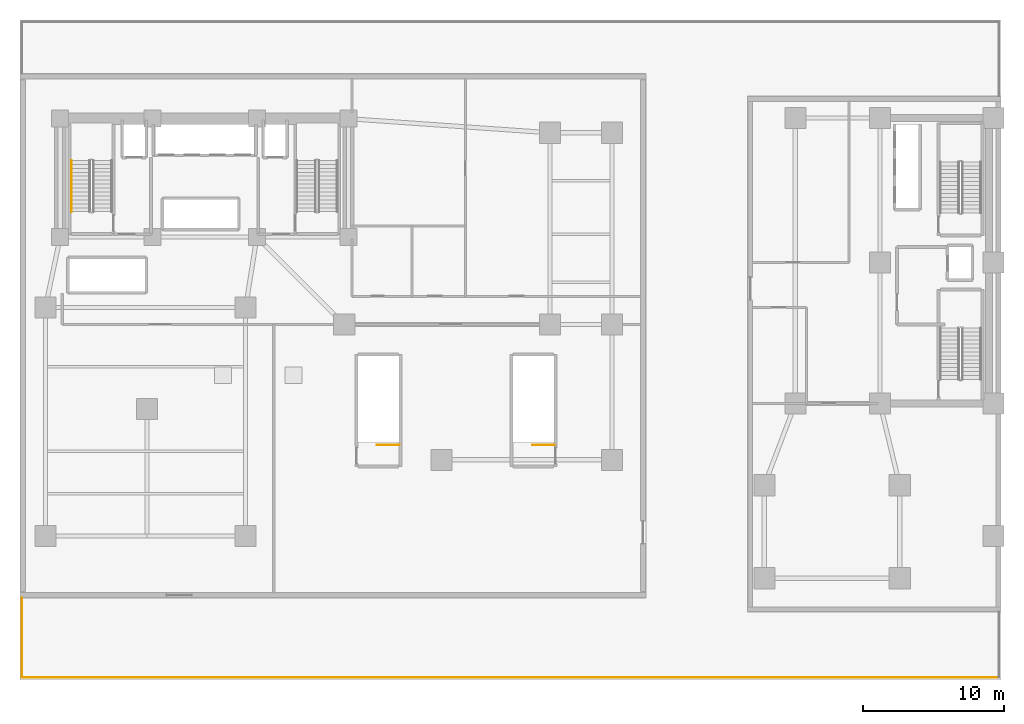
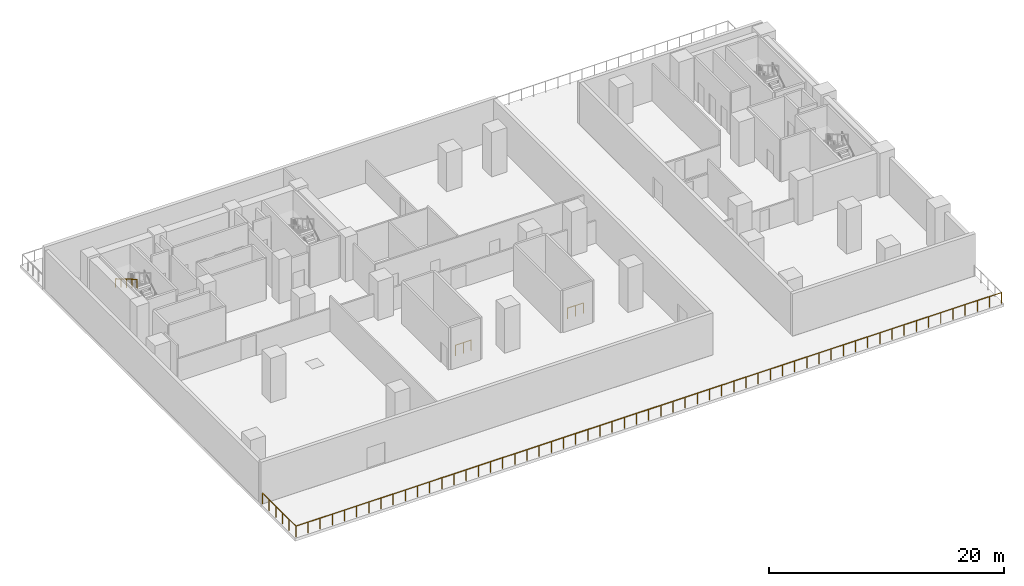
# One storey, part 6 of 9: 5 railings.
"""IFC4 building model written with IfcOpenShell, lengths in metres."""

from ifc_helpers import new_model, si_unit, direction, frame, origin, origin_2d, place, context, subcontext, project, spatial, circle, extrude, material, layer, layer_set, type_object, element, save


model = new_model("IFC4")

# Units and contexts
model_context = context("Model", 3, precision=1e-05, world=origin(), true_north=direction((0.0, 1.0)))
body_context = subcontext(model_context, "Body", "Model", "MODEL_VIEW")
ifc_project = project(units=[si_unit("LENGTHUNIT", "METRE"), si_unit("AREAUNIT", "SQUARE_METRE"), si_unit("VOLUMEUNIT", "CUBIC_METRE"), si_unit("PLANEANGLEUNIT", "RADIAN"), si_unit("MASSUNIT", "GRAM", prefix="KILO")], contexts=[model_context])

# Site, building, storey
site_placement = place(None, origin())
site = spatial("IfcSite", under=ifc_project, at=site_placement, CompositionType="ELEMENT")
building_placement = place(site_placement, origin())
building = spatial("IfcBuilding", under=site, at=building_placement, Name="Kuzgunbayir Cultural Tower", CompositionType="ELEMENT")
storey_placement = place(building_placement, frame((0.0, 0.0, 21.800048828125)))
storey = spatial("IfcBuildingStorey", under=building, at=storey_placement, Name="L05", CompositionType="ELEMENT", Elevation=21.800048828125)

# Railings
ifc_material_1 = material(Name="Laminated Glass and Stainless Steel", Category="steel")
ifc_layer_1 = layer(ifc_material_1, 0.080078125)
ifc_layer_set_1 = layer_set([ifc_layer_1], Name="Laminated Glass and Stainless Steel")
railing_type_1 = type_object("IfcRailingType", Name="RLG-BAL-115", PredefinedType="BALUSTRADE", material=ifc_layer_set_1)
railing_1_placement = place(storey_placement, frame((3.75, 8.199951171875, 0.0)))
element("IfcRailing", 1, at=railing_1_placement, inside=storey, type_object=railing_type_1, Name="L05 Raised Garden South Guard Segment 1", PredefinedType="BALUSTRADE", context=body_context, shape_type="SweptSolid", body=[
    extrude(circle(Radius=0.02392578125, at=origin_2d()), frame((0.0, 0.0, 1.1259765625), z_axis=(0.0, -1.0, 0.0), x_axis=(1.0, 0.0, 0.0)), (0.0, 0.0, 1.0), 5.64990234375),
    extrude(circle(Radius=0.02099609375, at=origin_2d()), origin(), (0.0, 0.0, 1.0), 1.101806640625),
    extrude(circle(Radius=0.02099609375, at=origin_2d()), frame((0.0, -1.1298828125, 0.0)), (0.0, 0.0, 1.0), 1.101806640625),
    extrude(circle(Radius=0.02099609375, at=origin_2d()), frame((0.0, -2.260009765625, 0.0)), (0.0, 0.0, 1.0), 1.101806640625),
    extrude(circle(Radius=0.02099609375, at=origin_2d()), frame((0.0, -3.389892578125, 0.0)), (0.0, 0.0, 1.0), 1.101806640625),
    extrude(circle(Radius=0.02099609375, at=origin_2d()), frame((0.0, -4.52001953125, 0.0)), (0.0, 0.0, 1.0), 1.101806640625),
    extrude(circle(Radius=0.02099609375, at=origin_2d()), frame((0.0, -5.64990234375, 0.0)), (0.0, 0.0, 1.0), 1.101806640625),
])
railing_2_placement = place(storey_placement, frame((3.75, 2.550048828125, 0.0)))
element("IfcRailing", 2, at=railing_2_placement, inside=storey, type_object=railing_type_1, Name="L05 Raised Garden South Guard Segment 2", PredefinedType="BALUSTRADE", context=body_context, shape_type="SweptSolid", body=[
    extrude(circle(Radius=0.02392578125, at=origin_2d()), frame((0.0, 0.0, 1.1259765625), z_axis=(1.0, 0.0, 0.0), x_axis=(0.0, 1.0, 0.0)), (0.0, 0.0, 1.0), 69.300048828125),
    extrude(circle(Radius=0.02099609375, at=origin_2d()), origin(), (0.0, 0.0, 1.0), 1.101806640625),
    extrude(circle(Radius=0.02099609375, at=origin_2d()), frame((1.19482421875, 0.0, 0.0)), (0.0, 0.0, 1.0), 1.101806640625),
    extrude(circle(Radius=0.02099609375, at=origin_2d()), frame((2.3896484375, 0.0, 0.0)), (0.0, 0.0, 1.0), 1.101806640625),
    extrude(circle(Radius=0.02099609375, at=origin_2d()), frame((3.58447265625, 0.0, 0.0)), (0.0, 0.0, 1.0), 1.101806640625),
    extrude(circle(Radius=0.02099609375, at=origin_2d()), frame((4.779296875, 0.0, 0.0)), (0.0, 0.0, 1.0), 1.101806640625),
    extrude(circle(Radius=0.02099609375, at=origin_2d()), frame((5.97412109375, 0.0, 0.0)), (0.0, 0.0, 1.0), 1.101806640625),
    extrude(circle(Radius=0.02099609375, at=origin_2d()), frame((7.1689453125, 0.0, 0.0)), (0.0, 0.0, 1.0), 1.101806640625),
    extrude(circle(Radius=0.02099609375, at=origin_2d()), frame((8.36376953125, 0.0, 0.0)), (0.0, 0.0, 1.0), 1.101806640625),
    extrude(circle(Radius=0.02099609375, at=origin_2d()), frame((9.55859375, 0.0, 0.0)), (0.0, 0.0, 1.0), 1.101806640625),
    extrude(circle(Radius=0.02099609375, at=origin_2d()), frame((10.75341796875, 0.0, 0.0)), (0.0, 0.0, 1.0), 1.101806640625),
    extrude(circle(Radius=0.02099609375, at=origin_2d()), frame((11.9482421875, 0.0, 0.0)), (0.0, 0.0, 1.0), 1.101806640625),
    extrude(circle(Radius=0.02099609375, at=origin_2d()), frame((13.14306640625, 0.0, 0.0)), (0.0, 0.0, 1.0), 1.101806640625),
    extrude(circle(Radius=0.02099609375, at=origin_2d()), frame((14.337890625, 0.0, 0.0)), (0.0, 0.0, 1.0), 1.101806640625),
    extrude(circle(Radius=0.02099609375, at=origin_2d()), frame((15.53271484375, 0.0, 0.0)), (0.0, 0.0, 1.0), 1.101806640625),
    extrude(circle(Radius=0.02099609375, at=origin_2d()), frame((16.7275390625, 0.0, 0.0)), (0.0, 0.0, 1.0), 1.101806640625),
    extrude(circle(Radius=0.02099609375, at=origin_2d()), frame((17.92236328125, 0.0, 0.0)), (0.0, 0.0, 1.0), 1.101806640625),
    extrude(circle(Radius=0.02099609375, at=origin_2d()), frame((19.1171875, 0.0, 0.0)), (0.0, 0.0, 1.0), 1.101806640625),
    extrude(circle(Radius=0.02099609375, at=origin_2d()), frame((20.31201171875, 0.0, 0.0)), (0.0, 0.0, 1.0), 1.101806640625),
    extrude(circle(Radius=0.02099609375, at=origin_2d()), frame((21.5068359375, 0.0, 0.0)), (0.0, 0.0, 1.0), 1.101806640625),
    extrude(circle(Radius=0.02099609375, at=origin_2d()), frame((22.70166015625, 0.0, 0.0)), (0.0, 0.0, 1.0), 1.101806640625),
    extrude(circle(Radius=0.02099609375, at=origin_2d()), frame((23.896484375, 0.0, 0.0)), (0.0, 0.0, 1.0), 1.101806640625),
    extrude(circle(Radius=0.02099609375, at=origin_2d()), frame((25.09130859375, 0.0, 0.0)), (0.0, 0.0, 1.0), 1.101806640625),
    extrude(circle(Radius=0.02099609375, at=origin_2d()), frame((26.2861328125, 0.0, 0.0)), (0.0, 0.0, 1.0), 1.101806640625),
    extrude(circle(Radius=0.02099609375, at=origin_2d()), frame((27.48095703125, 0.0, 0.0)), (0.0, 0.0, 1.0), 1.101806640625),
    extrude(circle(Radius=0.02099609375, at=origin_2d()), frame((28.67578125, 0.0, 0.0)), (0.0, 0.0, 1.0), 1.101806640625),
    extrude(circle(Radius=0.02099609375, at=origin_2d()), frame((29.87060546875, 0.0, 0.0)), (0.0, 0.0, 1.0), 1.101806640625),
    extrude(circle(Radius=0.02099609375, at=origin_2d()), frame((31.0654296875, 0.0, 0.0)), (0.0, 0.0, 1.0), 1.101806640625),
    extrude(circle(Radius=0.02099609375, at=origin_2d()), frame((32.26025390625, 0.0, 0.0)), (0.0, 0.0, 1.0), 1.101806640625),
    extrude(circle(Radius=0.02099609375, at=origin_2d()), frame((33.455078125, 0.0, 0.0)), (0.0, 0.0, 1.0), 1.101806640625),
    extrude(circle(Radius=0.02099609375, at=origin_2d()), frame((34.64990234375, 0.0, 0.0)), (0.0, 0.0, 1.0), 1.101806640625),
    extrude(circle(Radius=0.02099609375, at=origin_2d()), frame((35.844970703125, 0.0, 0.0)), (0.0, 0.0, 1.0), 1.101806640625),
    extrude(circle(Radius=0.02099609375, at=origin_2d()), frame((37.039794921875, 0.0, 0.0)), (0.0, 0.0, 1.0), 1.101806640625),
    extrude(circle(Radius=0.02099609375, at=origin_2d()), frame((38.234619140625, 0.0, 0.0)), (0.0, 0.0, 1.0), 1.101806640625),
    extrude(circle(Radius=0.02099609375, at=origin_2d()), frame((39.429443359375, 0.0, 0.0)), (0.0, 0.0, 1.0), 1.101806640625),
    extrude(circle(Radius=0.02099609375, at=origin_2d()), frame((40.624267578125, 0.0, 0.0)), (0.0, 0.0, 1.0), 1.101806640625),
    extrude(circle(Radius=0.02099609375, at=origin_2d()), frame((41.819091796875, 0.0, 0.0)), (0.0, 0.0, 1.0), 1.101806640625),
    extrude(circle(Radius=0.02099609375, at=origin_2d()), frame((43.013916015625, 0.0, 0.0)), (0.0, 0.0, 1.0), 1.101806640625),
    extrude(circle(Radius=0.02099609375, at=origin_2d()), frame((44.208740234375, 0.0, 0.0)), (0.0, 0.0, 1.0), 1.101806640625),
    extrude(circle(Radius=0.02099609375, at=origin_2d()), frame((45.403564453125, 0.0, 0.0)), (0.0, 0.0, 1.0), 1.101806640625),
    extrude(circle(Radius=0.02099609375, at=origin_2d()), frame((46.598388671875, 0.0, 0.0)), (0.0, 0.0, 1.0), 1.101806640625),
    extrude(circle(Radius=0.02099609375, at=origin_2d()), frame((47.793212890625, 0.0, 0.0)), (0.0, 0.0, 1.0), 1.101806640625),
    extrude(circle(Radius=0.02099609375, at=origin_2d()), frame((48.988037109375, 0.0, 0.0)), (0.0, 0.0, 1.0), 1.101806640625),
    extrude(circle(Radius=0.02099609375, at=origin_2d()), frame((50.182861328125, 0.0, 0.0)), (0.0, 0.0, 1.0), 1.101806640625),
    extrude(circle(Radius=0.02099609375, at=origin_2d()), frame((51.377685546875, 0.0, 0.0)), (0.0, 0.0, 1.0), 1.101806640625),
    extrude(circle(Radius=0.02099609375, at=origin_2d()), frame((52.572509765625, 0.0, 0.0)), (0.0, 0.0, 1.0), 1.101806640625),
    extrude(circle(Radius=0.02099609375, at=origin_2d()), frame((53.767333984375, 0.0, 0.0)), (0.0, 0.0, 1.0), 1.101806640625),
    extrude(circle(Radius=0.02099609375, at=origin_2d()), frame((54.962158203125, 0.0, 0.0)), (0.0, 0.0, 1.0), 1.101806640625),
    extrude(circle(Radius=0.02099609375, at=origin_2d()), frame((56.156982421875, 0.0, 0.0)), (0.0, 0.0, 1.0), 1.101806640625),
    extrude(circle(Radius=0.02099609375, at=origin_2d()), frame((57.351806640625, 0.0, 0.0)), (0.0, 0.0, 1.0), 1.101806640625),
    extrude(circle(Radius=0.02099609375, at=origin_2d()), frame((58.546630859375, 0.0, 0.0)), (0.0, 0.0, 1.0), 1.101806640625),
    extrude(circle(Radius=0.02099609375, at=origin_2d()), frame((59.741455078125, 0.0, 0.0)), (0.0, 0.0, 1.0), 1.101806640625),
    extrude(circle(Radius=0.02099609375, at=origin_2d()), frame((60.936279296875, 0.0, 0.0)), (0.0, 0.0, 1.0), 1.101806640625),
    extrude(circle(Radius=0.02099609375, at=origin_2d()), frame((62.131103515625, 0.0, 0.0)), (0.0, 0.0, 1.0), 1.101806640625),
    extrude(circle(Radius=0.02099609375, at=origin_2d()), frame((63.325927734375, 0.0, 0.0)), (0.0, 0.0, 1.0), 1.101806640625),
    extrude(circle(Radius=0.02099609375, at=origin_2d()), frame((64.520751953125, 0.0, 0.0)), (0.0, 0.0, 1.0), 1.101806640625),
    extrude(circle(Radius=0.02099609375, at=origin_2d()), frame((65.715576171875, 0.0, 0.0)), (0.0, 0.0, 1.0), 1.101806640625),
    extrude(circle(Radius=0.02099609375, at=origin_2d()), frame((66.910400390625, 0.0, 0.0)), (0.0, 0.0, 1.0), 1.101806640625),
    extrude(circle(Radius=0.02099609375, at=origin_2d()), frame((68.105224609375, 0.0, 0.0)), (0.0, 0.0, 1.0), 1.101806640625),
    extrude(circle(Radius=0.02099609375, at=origin_2d()), frame((69.300048828125, 0.0, 0.0)), (0.0, 0.0, 1.0), 1.101806640625),
])
ifc_material_2 = material(Name="Brushed Stainless Steel", Category="steel")
ifc_layer_2 = layer(ifc_material_2, 0.050048828125)
ifc_layer_set_2 = layer_set([ifc_layer_2], Name="Brushed Stainless Steel")
railing_type_2 = type_object("IfcRailingType", Name="RLG-STAIR-HANDRAIL", PredefinedType="HANDRAIL", material=ifc_layer_set_2)
railing_3_placement = place(storey_placement, frame((7.25, 39.239990234375, 2.46435546875)))
element("IfcRailing", 3, at=railing_3_placement, inside=storey, type_object=railing_type_2, Name="L05 ST-1 stair handrail 2", PredefinedType="HANDRAIL", context=body_context, shape_type="SweptSolid", body=[
    extrude(circle(Radius=0.02392578125, at=origin_2d()), frame((0.0, 0.0, 0.8759765625), z_axis=(0.0, -0.862515142463, 0.50603125301), x_axis=(1.0, 0.0, 0.0)), (0.0, 0.0, 1.0), 4.219970703125),
    extrude(circle(Radius=0.02099609375, at=origin_2d()), origin(), (0.0, 0.0, 1.0), 0.851806640625),
    extrude(circle(Radius=0.02099609375, at=origin_2d()), frame((0.0, -0.909912109375, 0.533935546875)), (0.0, 0.0, 1.0), 0.851806640625),
    extrude(circle(Radius=0.02099609375, at=origin_2d()), frame((0.0, -1.81982421875, 1.06787109375)), (0.0, 0.0, 1.0), 0.851806640625),
    extrude(circle(Radius=0.02099609375, at=origin_2d()), frame((0.0, -2.72998046875, 1.6015625)), (0.0, 0.0, 1.0), 0.851806640625),
    extrude(circle(Radius=0.02099609375, at=origin_2d()), frame((0.0, -3.639892578125, 2.135498046875)), (0.0, 0.0, 1.0), 0.851806640625),
])
ifc_material_3 = material(Name="Painted Steel Balustrade", Category="steel")
ifc_layer_3 = layer(ifc_material_3, 0.06005859375)
ifc_layer_set_3 = layer_set([ifc_layer_3], Name="Painted Steel Balustrade")
railing_type_3 = type_object("IfcRailingType", Name="RLG-WELL-GUARD", PredefinedType="GUARDRAIL", material=ifc_layer_set_3)
for number, where, name in (
    (4, (30.5, 19.050048828125, 0.0), "L05 ST-5 top well guard 1"),
    (5, (41.5, 19.050048828125, 0.0), "L05 ST-6 top well guard 1"),
):
    element("IfcRailing", number, at=place(storey_placement, frame(where)), inside=storey, type_object=railing_type_3, Name=name, PredefinedType="GUARDRAIL", context=body_context, shape_type="SweptSolid", body=[
        extrude(circle(Radius=0.02392578125, at=origin_2d()), frame((0.0, 0.0, 1.076171875), z_axis=(-1.0, 0.0, 0.0), x_axis=(0.0, -1.0, 0.0)), (0.0, 0.0, 1.0), 1.56005859375),
        extrude(circle(Radius=0.02099609375, at=origin_2d()), origin(), (0.0, 0.0, 1.0), 1.052001953125),
        extrude(circle(Radius=0.02099609375, at=origin_2d()), frame((-0.780029296875, 0.0, 0.0)), (0.0, 0.0, 1.0), 1.052001953125),
        extrude(circle(Radius=0.02099609375, at=origin_2d()), frame((-1.56005859375, 0.0, 0.0)), (0.0, 0.0, 1.0), 1.052001953125),
    ])

save(model, "model.ifc")
